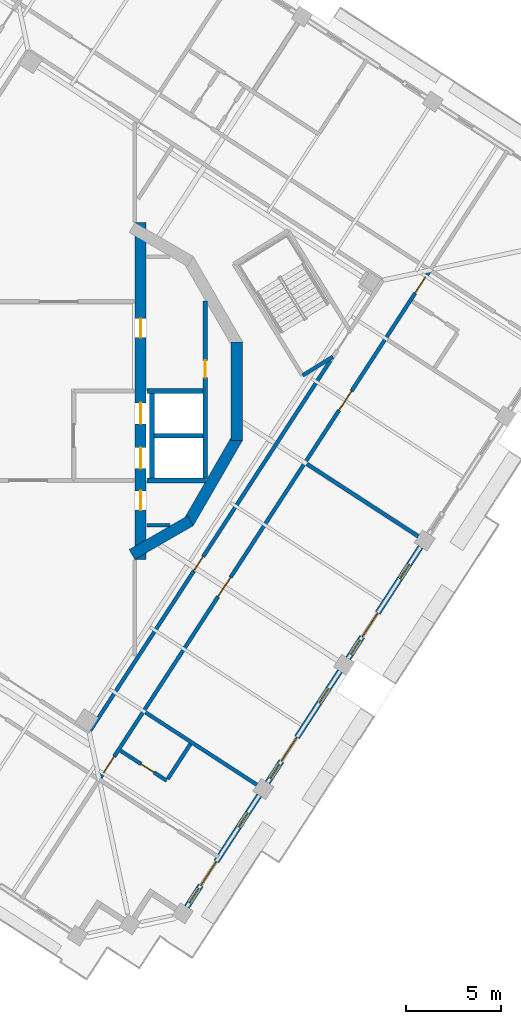
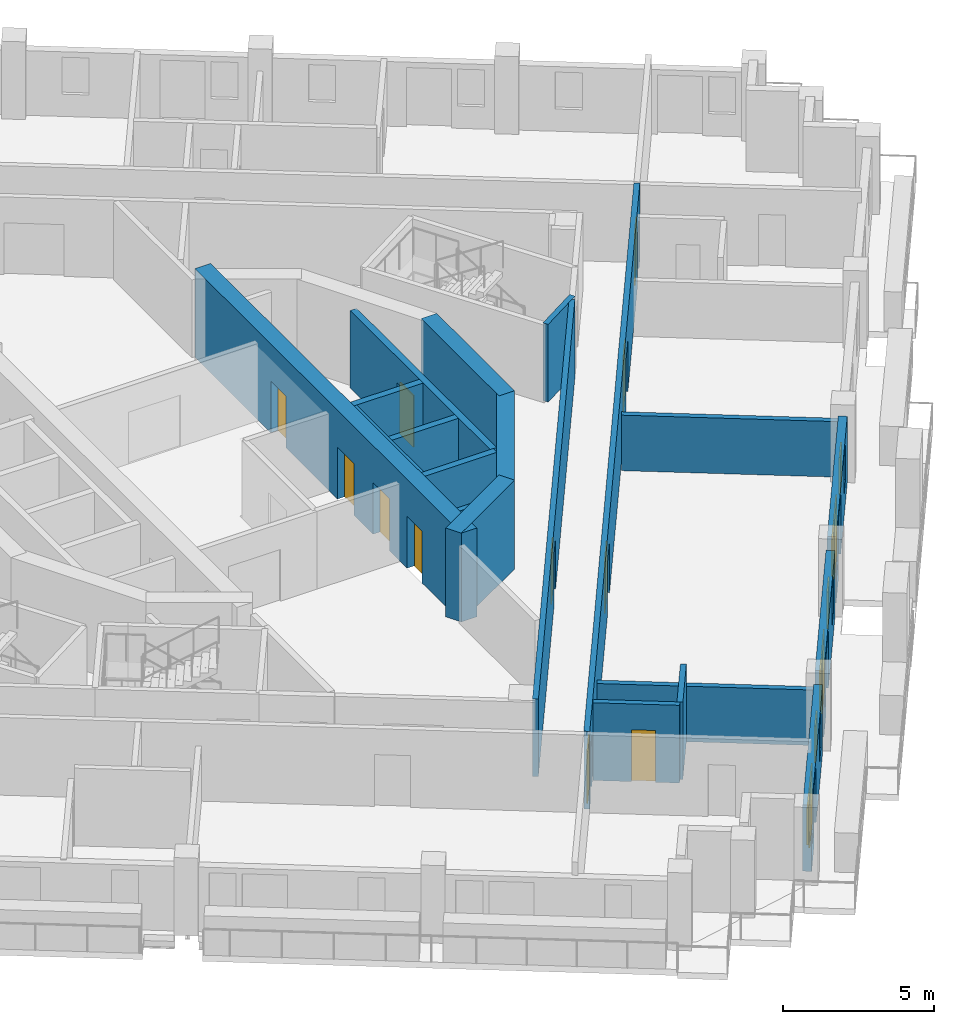
# One storey, part 7 of 17: 20 walls, 14 doors, 6 windows, 20 openings.
"""IFC4 building model written with IfcOpenShell, lengths in metres."""

import ifcopenshell
import ifcopenshell.guid

model = None  # the IFC model being written
_history = None  # IfcOwnerHistory: only IFC2X3 demands one
_inside = {}  # id of a spatial element -> (the spatial element, [elements in it])
_under = {}  # id of a project, library or spatial element -> (it, [spatial elements below it])
_declared = {}  # id of a project -> (the project, [libraries it declares])
_typed = {}  # id of a type object -> (the type object, [elements of that type])
_made_of = {}  # id of a material, layer set ... -> (it, [elements and type objects made of it])


def new_model(schema):
    """Start an empty IFC model of exactly this schema.

    Asked for "IFC4X3", IfcOpenShell would pick the latest addendum, in which some entities
    have other attributes; the version numbers below select the first issue.
    IFC2X3 requires an IfcOwnerHistory on every rooted entity: one is made here for all.
    """
    global model, _history
    if schema == "IFC4X3":
        model = ifcopenshell.file(schema_version=(4, 3, 0, 0))
    else:
        model = ifcopenshell.file(schema=schema)
    _inside.clear()
    _under.clear()
    _declared.clear()
    _typed.clear()
    _made_of.clear()
    _history = None
    if model.schema == "IFC2X3":
        org = make("IfcOrganization", Name="unknown")
        user = make(
            "IfcPersonAndOrganization",
            ThePerson=make("IfcPerson", FamilyName="unknown"),
            TheOrganization=org,
        )
        app = make(
            "IfcApplication",
            ApplicationDeveloper=org,
            Version="unknown",
            ApplicationFullName="unknown",
            ApplicationIdentifier="unknown",
        )
        _history = make(
            "IfcOwnerHistory",
            OwningUser=user,
            OwningApplication=app,
            ChangeAction="ADDED",
            CreationDate=0,
        )
    return model


def make(cls, **values):
    """One entity of the class cls with the attributes given. An attribute that is None is left unset."""
    return model.create_entity(
        cls, **{name: value for name, value in values.items() if value is not None}
    )


def rooted(cls, **values):
    """An entity with a GlobalId (a new one), such as an element, a storey or a relation."""
    return make(cls, GlobalId=ifcopenshell.guid.new(), OwnerHistory=_history, **values)


def si_unit(unit_type, name, prefix=None):
    """IfcSIUnit, for example si_unit("LENGTHUNIT", "METRE", prefix="MILLI")."""
    return make("IfcSIUnit", UnitType=unit_type, Prefix=prefix, Name=name)


def assignment(units):
    """IfcUnitAssignment: the units of a project."""
    return None if units is None else make("IfcUnitAssignment", Units=units)


def point(xyz):
    """IfcCartesianPoint."""
    return None if xyz is None else make("IfcCartesianPoint", Coordinates=xyz)


def direction(xyz):
    """IfcDirection."""
    return None if xyz is None else make("IfcDirection", DirectionRatios=xyz)


def frame(location, z_axis=None, x_axis=None):
    """IfcAxis2Placement3D, a coordinate frame: its origin and axes. An axis left out is left unset."""
    return make(
        "IfcAxis2Placement3D",
        Location=point(location),
        Axis=direction(z_axis),
        RefDirection=direction(x_axis),
    )


def frame_2d(location, x_axis=None):
    """IfcAxis2Placement2D, a coordinate frame in the plane: its origin and x axis."""
    return make(
        "IfcAxis2Placement2D", Location=point(location), RefDirection=direction(x_axis)
    )


def origin():
    """The frame at (0, 0, 0) with its axes left unset."""
    return frame((0.0, 0.0, 0.0))


def place(relative_to, where):
    """IfcLocalPlacement: puts the frame where relative to a parent placement (None: the world)."""
    return make(
        "IfcLocalPlacement", PlacementRelTo=relative_to, RelativePlacement=where
    )


def context(
    kind, dimensions, precision=None, world=None, true_north=None, identifier=None
):
    """IfcGeometricRepresentationContext, for example the 3D "Model" context."""
    return make(
        "IfcGeometricRepresentationContext",
        ContextIdentifier=identifier,
        ContextType=kind,
        CoordinateSpaceDimension=dimensions,
        Precision=precision,
        WorldCoordinateSystem=world,
        TrueNorth=true_north,
    )


def subcontext(parent, identifier, kind, view, scale=None):
    """IfcGeometricRepresentationSubContext, for example "Body" below "Model"."""
    return make(
        "IfcGeometricRepresentationSubContext",
        ContextIdentifier=identifier,
        ContextType=kind,
        ParentContext=parent,
        TargetScale=scale,
        TargetView=view,
    )


def project(units=None, contexts=None):
    """IfcProject with its units and contexts."""
    return rooted(
        "IfcProject",
        Name="project",
        RepresentationContexts=contexts,
        UnitsInContext=assignment(units),
    )


def spatial(cls, under=None, at=None, **own):
    """A site, building, storey or space (cls), placed at a placement, below another one or the project."""
    s = rooted(cls, ObjectPlacement=at, **own)
    if under is not None:
        _under.setdefault(under.id(), (under, []))[1].append(s)
    return s


def profile(cls, at=None, kind="AREA", **sizes):
    """A parametric profile (cls). Its sizes go by their IFC names, for example OverallWidth=200.0."""
    return make(cls, ProfileType=kind, Position=at, **sizes)


def rectangle(**sizes):
    """IfcRectangleProfileDef."""
    return profile("IfcRectangleProfileDef", **sizes)


def extrude(swept, where, along, depth):
    """IfcExtrudedAreaSolid: the profile swept, set in the frame where, extruded along a direction by depth."""
    return make(
        "IfcExtrudedAreaSolid",
        SweptArea=swept,
        Position=where,
        ExtrudedDirection=direction(along),
        Depth=depth,
    )


def shape(context_of_items, identifier, shape_type, items):
    """IfcShapeRepresentation: the items that make up one representation, for example the "Body"."""
    return make(
        "IfcShapeRepresentation",
        ContextOfItems=context_of_items,
        RepresentationIdentifier=identifier,
        RepresentationType=shape_type,
        Items=items,
    )


def material(Name=None, Category=None):
    """IfcMaterial."""
    return make("IfcMaterial", Name=Name, Category=Category)


def layer(
    of_material, thickness, ventilated=None, Name=None, Category=None, Priority=None
):
    """IfcMaterialLayer: one layer of a wall or slab, of a material (None: an air gap)."""
    return make(
        "IfcMaterialLayer",
        Material=of_material,
        LayerThickness=thickness,
        IsVentilated=ventilated,
        Name=Name,
        Category=Category,
        Priority=Priority,
    )


def layer_set(layers, Name=None):
    """IfcMaterialLayerSet."""
    return make("IfcMaterialLayerSet", MaterialLayers=layers, LayerSetName=Name)


def made_of(thing, what):
    """Note that an element or type object is made of a material, layer set ...; save() writes the relation."""
    if what is not None:
        _made_of.setdefault(what.id(), (what, []))[1].append(thing)
    return thing


def type_object(cls, material=None, **own):
    """A type object (cls), such as IfcWallType, which elements share."""
    return made_of(rooted(cls, **own), material)


def element(
    cls,
    number,
    at=None,
    inside=None,
    cuts=None,
    type_object=None,
    material=None,
    context=None,
    identifier="Body",
    shape_type=None,
    held_by="IfcProductDefinitionShape",
    body=None,
    shapes=None,
    **own,
):
    """One element of the class cls, such as IfcWall. Its Tag is "e" and its number.

    at: its placement. inside: the storey or other place that contains it. cuts: it is an
    opening in that element (IfcRelVoidsElement). A single representation is given by context,
    identifier, shape_type and body (its items); several are given by shapes. held_by: the class
    of the entity that holds the representations. save() writes the other relations.
    """
    e = rooted(cls, Tag="e%d" % number, ObjectPlacement=at, **own)
    if body is not None:
        shapes = [shape(context, identifier, shape_type, body)]
    if shapes is not None:
        e.Representation = make(held_by, Representations=shapes)
    if inside is not None:
        _inside.setdefault(inside.id(), (inside, []))[1].append(e)
    if cuts is not None:
        rooted(
            "IfcRelVoidsElement", RelatingBuildingElement=cuts, RelatedOpeningElement=e
        )
    if type_object is not None:
        _typed.setdefault(type_object.id(), (type_object, []))[1].append(e)
    return made_of(e, material)


def fill(opening, filler):
    """IfcRelFillsElement: the door or window that sits in an opening."""
    return rooted(
        "IfcRelFillsElement",
        RelatingOpeningElement=opening,
        RelatedBuildingElement=filler,
    )


def aggregate(whole, parts):
    """IfcRelAggregates: a whole, such as a stair, and the parts it consists of."""
    return rooted("IfcRelAggregates", RelatingObject=whole, RelatedObjects=parts)


def save(model, path):
    """Write the relations noted so far, then the file.

    IfcRelAggregates (storeys below a building ...), IfcRelContainedInSpatialStructure (elements
    in a storey), IfcRelDefinesByType, IfcRelAssociatesMaterial and IfcRelDeclares: one each for
    every whole, place, type object, material and project.
    """
    for whole, parts in _under.values():
        aggregate(whole, parts)
    for where, things in _inside.values():
        rooted(
            "IfcRelContainedInSpatialStructure",
            RelatedElements=things,
            RelatingStructure=where,
        )
    for kind, things in _typed.values():
        rooted("IfcRelDefinesByType", RelatedObjects=things, RelatingType=kind)
    for what, things in _made_of.values():
        rooted("IfcRelAssociatesMaterial", RelatedObjects=things, RelatingMaterial=what)
    for by, libraries in _declared.values():
        rooted("IfcRelDeclares", RelatingContext=by, RelatedDefinitions=libraries)
    model.write(path)


model = new_model("IFC4")

# Units and contexts
model_context = context("Model", 3, precision=1e-05, world=origin(), true_north=direction((0.0, 1.0)))
body_context = subcontext(model_context, "Body", "Model", "MODEL_VIEW")
ifc_project = project(units=[si_unit("LENGTHUNIT", "METRE"), si_unit("AREAUNIT", "SQUARE_METRE"), si_unit("VOLUMEUNIT", "CUBIC_METRE"), si_unit("PLANEANGLEUNIT", "RADIAN"), si_unit("MASSUNIT", "GRAM", prefix="KILO")], contexts=[model_context])

# Site, building, storey
site_placement = place(None, origin())
site = spatial("IfcSite", under=ifc_project, at=site_placement, CompositionType="ELEMENT")
building_placement = place(site_placement, origin())
building = spatial("IfcBuilding", under=site, at=building_placement, Name="Cantera Rosa Tower", CompositionType="ELEMENT")
storey_placement = place(building_placement, frame((0.0, 0.0, 286.5)))
storey = spatial("IfcBuildingStorey", under=building, at=storey_placement, Name="L65", CompositionType="ELEMENT", Elevation=286.5)

# Wall, opening, door
ifc_material_1 = material(Name="Gypsum board partition")
ifc_layer_1 = layer(ifc_material_1, 0.199951171875)
ifc_layer_set_1 = layer_set([ifc_layer_1], Name="CORRIDOR WALL 200 H3150")
wall_type_1 = type_object("IfcWallType", Name="CORRIDOR WALL 200 H3150", PredefinedType="PARTITIONING", material=ifc_layer_set_1)
wall_1_placement = place(storey_placement, frame((1.656982421875, -17.828857421875, 0.0), z_axis=(0.0, 0.0, 1.0), x_axis=(0.544640309195, 0.838669740482, 0.0)))
wall_1 = element("IfcWall", 1, at=wall_1_placement, inside=storey, type_object=wall_type_1, Name="CORRIDOR WALL L65-055", PredefinedType="PARTITIONING", context=body_context, shape_type="SweptSolid", body=[
    extrude(rectangle(XDim=23.1552734375, YDim=0.199951171875, at=frame_2d((11.57763671875, 0.0))), origin(), (0.0, 0.0, 1.0), 3.14990234375),
])
opening_1_placement = place(wall_1_placement, frame((9.984619140625, 0.0, 0.0)))
opening_1 = element("IfcOpeningElement", 2, at=opening_1_placement, cuts=wall_1, Name="Opening L65-007", PredefinedType="OPENING", context=body_context, shape_type="SweptSolid", body=[
    extrude(rectangle(XDim=0.89990234375, YDim=2.10009765625, at=frame_2d((0.449951171875, 1.050048828125))), frame((0.0, 0.10986328125, 0.0), z_axis=(0.0, -1.0, 0.0), x_axis=(1.0, 0.0, 0.0)), (0.0, 0.0, 1.0), 0.219970703125),
])
ifc_material_2 = material(Name="Timber door leaf", Category="wood")
door_type_1 = type_object("IfcDoorType", Name="SERVICE DOOR 900x2100", OperationType="NOTDEFINED", PredefinedType="DOOR", material=ifc_material_2)
door_1_placement = place(opening_1_placement, origin())
door_1 = element("IfcDoor", 3, at=door_1_placement, inside=storey, type_object=door_type_1, Name="DOOR L65-007", OperationType="NOTDEFINED", OverallHeight=2.10009765625, OverallWidth=0.89990234375, PredefinedType="DOOR", context=body_context, shape_type="SweptSolid", body=[
    extrude(rectangle(XDim=0.89990234375, YDim=2.10009765625, at=frame_2d((0.449951171875, 1.050048828125))), frame((0.0, 0.02490234375, 0.0), z_axis=(0.0, -1.0, 0.0), x_axis=(1.0, 0.0, 0.0)), (0.0, 0.0, 1.0), 0.050048828125),
])
fill(opening_1, door_1)

# Wall, openings, doors
wall_2_placement = place(storey_placement, frame((2.197265625, -20.302001953125, 0.0), z_axis=(0.0, 0.0, 1.0), x_axis=(0.544636461061, 0.838672239485, 0.0)))
wall_2 = element("IfcWall", 4, at=wall_2_placement, inside=storey, type_object=wall_type_1, Name="CORRIDOR WALL L65-057", PredefinedType="PARTITIONING", context=body_context, shape_type="SweptSolid", body=[
    extrude(rectangle(XDim=31.780029296875, YDim=0.199951171875, at=frame_2d((15.89013671875, 0.0))), origin(), (0.0, 0.0, 1.0), 3.14990234375),
])
opening_2_placement = place(wall_2_placement, frame((11.340087890625, 0.0, 0.0)))
opening_2 = element("IfcOpeningElement", 5, at=opening_2_placement, cuts=wall_2, Name="Opening L65-033", PredefinedType="OPENING", context=body_context, shape_type="SweptSolid", body=[
    extrude(rectangle(XDim=1.199951171875, YDim=2.10009765625, at=frame_2d((0.60009765625, 1.050048828125))), frame((0.0, 0.10986328125, 0.0), z_axis=(0.0, -1.0, 0.0), x_axis=(1.0, 0.0, 0.0)), (0.0, 0.0, 1.0), 0.219970703125),
])
opening_3_placement = place(wall_2_placement, frame((23.010009765625, 0.0, 0.0)))
opening_3 = element("IfcOpeningElement", 6, at=opening_3_placement, cuts=wall_2, Name="Opening L65-034", PredefinedType="OPENING", context=body_context, shape_type="SweptSolid", body=[
    extrude(rectangle(XDim=1.199951171875, YDim=2.10009765625, at=frame_2d((0.60009765625, 1.050048828125))), frame((0.0, 0.10986328125, 0.0), z_axis=(0.0, -1.0, 0.0), x_axis=(1.0, 0.0, 0.0)), (0.0, 0.0, 1.0), 0.219970703125),
])
opening_4_placement = place(wall_2_placement, frame((0.320068359375, 0.0, 0.0)))
opening_4 = element("IfcOpeningElement", 7, at=opening_4_placement, cuts=wall_2, Name="Opening L65-035", PredefinedType="OPENING", context=body_context, shape_type="SweptSolid", body=[
    extrude(rectangle(XDim=1.0, YDim=2.10009765625, at=frame_2d((0.5, 1.050048828125))), frame((0.0, 0.10986328125, 0.0), z_axis=(0.0, -1.0, 0.0), x_axis=(1.0, 0.0, 0.0)), (0.0, 0.0, 1.0), 0.219970703125),
])
opening_5_placement = place(wall_2_placement, frame((30.340087890625, 0.0, 0.0)))
opening_5 = element("IfcOpeningElement", 8, at=opening_5_placement, cuts=wall_2, Name="Opening L65-038", PredefinedType="OPENING", context=body_context, shape_type="SweptSolid", body=[
    extrude(rectangle(XDim=1.0, YDim=2.10009765625, at=frame_2d((0.5, 1.050048828125))), frame((0.0, 0.10986328125, 0.0), z_axis=(0.0, -1.0, 0.0), x_axis=(1.0, 0.0, 0.0)), (0.0, 0.0, 1.0), 0.219970703125),
])
ifc_material_3 = material(Name="Timber door leaf", Category="wood")
door_type_2 = type_object("IfcDoorType", Name="ENTRANCE DOOR 1000x2100", OperationType="NOTDEFINED", PredefinedType="DOOR", material=ifc_material_3)
door_2_placement = place(opening_4_placement, origin())
door_2 = element("IfcDoor", 9, at=door_2_placement, inside=storey, type_object=door_type_2, Name="DOOR L65-035", OperationType="NOTDEFINED", OverallHeight=2.10009765625, OverallWidth=1.0, PredefinedType="DOOR", context=body_context, shape_type="SweptSolid", body=[
    extrude(rectangle(XDim=1.0, YDim=2.10009765625, at=frame_2d((0.5, 1.050048828125))), frame((0.0, 0.02490234375, 0.0), z_axis=(0.0, -1.0, 0.0), x_axis=(1.0, 0.0, 0.0)), (0.0, 0.0, 1.0), 0.050048828125),
])
fill(opening_4, door_2)
door_3_placement = place(opening_5_placement, origin())
door_3 = element("IfcDoor", 10, at=door_3_placement, inside=storey, type_object=door_type_2, Name="DOOR L65-038", OperationType="NOTDEFINED", OverallHeight=2.10009765625, OverallWidth=1.0, PredefinedType="DOOR", context=body_context, shape_type="SweptSolid", body=[
    extrude(rectangle(XDim=1.0, YDim=2.10009765625, at=frame_2d((0.5, 1.050048828125))), frame((0.0, 0.02490234375, 0.0), z_axis=(0.0, -1.0, 0.0), x_axis=(1.0, 0.0, 0.0)), (0.0, 0.0, 1.0), 0.050048828125),
])
fill(opening_5, door_3)
ifc_material_4 = material(Name="Timber door leaf", Category="wood")
door_type_3 = type_object("IfcDoorType", Name="ROOM DOOR 1200x2100", OperationType="NOTDEFINED", PredefinedType="DOOR", material=ifc_material_4)
door_4_placement = place(opening_2_placement, origin())
door_4 = element("IfcDoor", 11, at=door_4_placement, inside=storey, type_object=door_type_3, Name="DOOR L65-033", OperationType="NOTDEFINED", OverallHeight=2.10009765625, OverallWidth=1.199951171875, PredefinedType="DOOR", context=body_context, shape_type="SweptSolid", body=[
    extrude(rectangle(XDim=1.199951171875, YDim=2.10009765625, at=frame_2d((0.60009765625, 1.050048828125))), frame((0.0, 0.02490234375, 0.0), z_axis=(0.0, -1.0, 0.0), x_axis=(1.0, 0.0, 0.0)), (0.0, 0.0, 1.0), 0.050048828125),
])
fill(opening_2, door_4)
door_5_placement = place(opening_3_placement, origin())
door_5 = element("IfcDoor", 12, at=door_5_placement, inside=storey, type_object=door_type_3, Name="DOOR L65-034", OperationType="NOTDEFINED", OverallHeight=2.10009765625, OverallWidth=1.199951171875, PredefinedType="DOOR", context=body_context, shape_type="SweptSolid", body=[
    extrude(rectangle(XDim=1.199951171875, YDim=2.10009765625, at=frame_2d((0.60009765625, 1.050048828125))), frame((0.0, 0.02490234375, 0.0), z_axis=(0.0, -1.0, 0.0), x_axis=(1.0, 0.0, 0.0)), (0.0, 0.0, 1.0), 0.050048828125),
])
fill(opening_3, door_5)

# Wall, openings, windows, door
ifc_material_5 = material(Name="Hollow clay masonry with cantera stone cladding", Category="masonry")
ifc_layer_2 = layer(ifc_material_5, 0.300048828125)
ifc_layer_set_2 = layer_set([ifc_layer_2], Name="EW-LOGGIA 300 H2690")
wall_type_2 = type_object("IfcWallType", Name="EW-LOGGIA 300 H2690", PredefinedType="SOLIDWALL", material=ifc_layer_set_2)
wall_3_placement = place(storey_placement, frame((6.7333984375, -27.08740234375, 0.0), z_axis=(0.0, 0.0, 1.0), x_axis=(0.544651451949, 0.838662504164, 0.0)))
wall_3 = element("IfcWall", 13, at=wall_3_placement, inside=storey, type_object=wall_type_2, Name="EN-L65-W20", PredefinedType="SOLIDWALL", context=body_context, shape_type="SweptSolid", body=[
    extrude(rectangle(XDim=6.980224609375, YDim=0.300048828125, at=frame_2d((3.490234375, 0.0))), origin(), (0.0, 0.0, 1.0), 2.68994140625),
])
opening_6_placement = place(wall_3_placement, frame((0.2451171875, 0.0, 0.89990234375)))
opening_6 = element("IfcOpeningElement", 14, at=opening_6_placement, cuts=wall_3, Name="Opening L65-W34", PredefinedType="OPENING", context=body_context, shape_type="SweptSolid", body=[
    extrude(rectangle(XDim=0.89990234375, YDim=1.5, at=frame_2d((0.449951171875, 0.75))), frame((0.0, 0.159912109375, 0.0), z_axis=(0.0, -1.0, 0.0), x_axis=(1.0, 0.0, 0.0)), (0.0, 0.0, 1.0), 0.320068359375),
])
opening_7_placement = place(wall_3_placement, frame((1.344970703125, 0.0, 0.0)))
opening_7 = element("IfcOpeningElement", 15, at=opening_7_placement, cuts=wall_3, Name="Opening L65-TD35", PredefinedType="OPENING", context=body_context, shape_type="SweptSolid", body=[
    extrude(rectangle(XDim=1.5, YDim=2.39990234375, at=frame_2d((0.75, 1.199951171875))), frame((0.0, 0.159912109375, 0.0), z_axis=(0.0, -1.0, 0.0), x_axis=(1.0, 0.0, 0.0)), (0.0, 0.0, 1.0), 0.320068359375),
])
opening_8_placement = place(wall_3_placement, frame((4.985107421875, 0.0, 0.89990234375)))
opening_8 = element("IfcOpeningElement", 16, at=opening_8_placement, cuts=wall_3, Name="Opening L65-W36", PredefinedType="OPENING", context=body_context, shape_type="SweptSolid", body=[
    extrude(rectangle(XDim=0.89990234375, YDim=1.5, at=frame_2d((0.449951171875, 0.75))), frame((0.0, 0.159912109375, 0.0), z_axis=(0.0, -1.0, 0.0), x_axis=(1.0, 0.0, 0.0)), (0.0, 0.0, 1.0), 0.320068359375),
])
ifc_material_6 = material(Name="Aluminium frame with clear glass", Category="aluminium")
window_type = type_object("IfcWindowType", Name="Residential window 900x1500", PartitioningType="SINGLE_PANEL", PredefinedType="WINDOW", material=ifc_material_6)
window_1_placement = place(opening_6_placement, origin())
window_1 = element("IfcWindow", 17, at=window_1_placement, inside=storey, type_object=window_type, Name="WINDOW L65-W34", OverallHeight=1.5, OverallWidth=0.89990234375, PartitioningType="SINGLE_PANEL", PredefinedType="WINDOW", context=body_context, shape_type="SweptSolid", body=[
    extrude(rectangle(XDim=0.89990234375, YDim=1.5, at=frame_2d((0.449951171875, 0.75))), frame((0.0, 0.030029296875, 0.0), z_axis=(0.0, -1.0, 0.0), x_axis=(1.0, 0.0, 0.0)), (0.0, 0.0, 1.0), 0.06005859375),
])
fill(opening_6, window_1)
window_2_placement = place(opening_8_placement, origin())
window_2 = element("IfcWindow", 18, at=window_2_placement, inside=storey, type_object=window_type, Name="WINDOW L65-W36", OverallHeight=1.5, OverallWidth=0.89990234375, PartitioningType="SINGLE_PANEL", PredefinedType="WINDOW", context=body_context, shape_type="SweptSolid", body=[
    extrude(rectangle(XDim=0.89990234375, YDim=1.5, at=frame_2d((0.449951171875, 0.75))), frame((0.0, 0.030029296875, 0.0), z_axis=(0.0, -1.0, 0.0), x_axis=(1.0, 0.0, 0.0)), (0.0, 0.0, 1.0), 0.06005859375),
])
fill(opening_8, window_2)
ifc_material_7 = material(Name="Aluminium frame with clear glass", Category="aluminium")
door_type_4 = type_object("IfcDoorType", Name="TD-R 1500x2400", OperationType="NOTDEFINED", PredefinedType="DOOR", material=ifc_material_7)
door_6_placement = place(opening_7_placement, origin())
door_6 = element("IfcDoor", 19, at=door_6_placement, inside=storey, type_object=door_type_4, Name="LOGGIA DOOR L65-TD35", OperationType="SLIDING_TO_LEFT", OverallHeight=2.39990234375, OverallWidth=1.5, PredefinedType="DOOR", context=body_context, shape_type="SweptSolid", body=[
    extrude(rectangle(XDim=1.5, YDim=2.39990234375, at=frame_2d((0.75, 1.199951171875))), frame((0.0, 0.02490234375, 0.0), z_axis=(0.0, -1.0, 0.0), x_axis=(1.0, 0.0, 0.0)), (0.0, 0.0, 1.0), 0.050048828125),
])
fill(opening_7, door_6)

wall_4_placement = place(storey_placement, frame((10.970703125, -20.5625, 0.0), z_axis=(0.0, 0.0, 1.0), x_axis=(0.544651451949, 0.838662504164, 0.0)))
wall_4 = element("IfcWall", 20, at=wall_4_placement, inside=storey, type_object=wall_type_2, Name="EN-L65-W21", PredefinedType="SOLIDWALL", context=body_context, shape_type="SweptSolid", body=[
    extrude(rectangle(XDim=6.980224609375, YDim=0.300048828125, at=frame_2d((3.490234375, 0.0))), origin(), (0.0, 0.0, 1.0), 2.68994140625),
])
opening_9_placement = place(wall_4_placement, frame((0.2451171875, 0.0, 0.89990234375)))
opening_9 = element("IfcOpeningElement", 21, at=opening_9_placement, cuts=wall_4, Name="Opening L65-W37", PredefinedType="OPENING", context=body_context, shape_type="SweptSolid", body=[
    extrude(rectangle(XDim=0.89990234375, YDim=1.5, at=frame_2d((0.449951171875, 0.75))), frame((0.0, 0.159912109375, 0.0), z_axis=(0.0, -1.0, 0.0), x_axis=(1.0, 0.0, 0.0)), (0.0, 0.0, 1.0), 0.320068359375),
])
opening_10_placement = place(wall_4_placement, frame((1.344970703125, 0.0, 0.0)))
opening_10 = element("IfcOpeningElement", 22, at=opening_10_placement, cuts=wall_4, Name="Opening L65-TD38", PredefinedType="OPENING", context=body_context, shape_type="SweptSolid", body=[
    extrude(rectangle(XDim=1.5, YDim=2.39990234375, at=frame_2d((0.75, 1.199951171875))), frame((0.0, 0.159912109375, 0.0), z_axis=(0.0, -1.0, 0.0), x_axis=(1.0, 0.0, 0.0)), (0.0, 0.0, 1.0), 0.320068359375),
])
opening_11_placement = place(wall_4_placement, frame((4.985107421875, 0.0, 0.89990234375)))
opening_11 = element("IfcOpeningElement", 23, at=opening_11_placement, cuts=wall_4, Name="Opening L65-W39", PredefinedType="OPENING", context=body_context, shape_type="SweptSolid", body=[
    extrude(rectangle(XDim=0.89990234375, YDim=1.5, at=frame_2d((0.449951171875, 0.75))), frame((0.0, 0.159912109375, 0.0), z_axis=(0.0, -1.0, 0.0), x_axis=(1.0, 0.0, 0.0)), (0.0, 0.0, 1.0), 0.320068359375),
])
window_3_placement = place(opening_9_placement, origin())
window_3 = element("IfcWindow", 24, at=window_3_placement, inside=storey, type_object=window_type, Name="WINDOW L65-W37", OverallHeight=1.5, OverallWidth=0.89990234375, PartitioningType="SINGLE_PANEL", PredefinedType="WINDOW", context=body_context, shape_type="SweptSolid", body=[
    extrude(rectangle(XDim=0.89990234375, YDim=1.5, at=frame_2d((0.449951171875, 0.75))), frame((0.0, 0.030029296875, 0.0), z_axis=(0.0, -1.0, 0.0), x_axis=(1.0, 0.0, 0.0)), (0.0, 0.0, 1.0), 0.06005859375),
])
fill(opening_9, window_3)
window_4_placement = place(opening_11_placement, origin())
window_4 = element("IfcWindow", 25, at=window_4_placement, inside=storey, type_object=window_type, Name="WINDOW L65-W39", OverallHeight=1.5, OverallWidth=0.89990234375, PartitioningType="SINGLE_PANEL", PredefinedType="WINDOW", context=body_context, shape_type="SweptSolid", body=[
    extrude(rectangle(XDim=0.89990234375, YDim=1.5, at=frame_2d((0.449951171875, 0.75))), frame((0.0, 0.030029296875, 0.0), z_axis=(0.0, -1.0, 0.0), x_axis=(1.0, 0.0, 0.0)), (0.0, 0.0, 1.0), 0.06005859375),
])
fill(opening_11, window_4)
door_7_placement = place(opening_10_placement, origin())
door_7 = element("IfcDoor", 26, at=door_7_placement, inside=storey, type_object=door_type_4, Name="LOGGIA DOOR L65-TD38", OperationType="SLIDING_TO_LEFT", OverallHeight=2.39990234375, OverallWidth=1.5, PredefinedType="DOOR", context=body_context, shape_type="SweptSolid", body=[
    extrude(rectangle(XDim=1.5, YDim=2.39990234375, at=frame_2d((0.75, 1.199951171875))), frame((0.0, 0.02490234375, 0.0), z_axis=(0.0, -1.0, 0.0), x_axis=(1.0, 0.0, 0.0)), (0.0, 0.0, 1.0), 0.050048828125),
])
fill(opening_10, door_7)

wall_5_placement = place(storey_placement, frame((15.2080078125, -14.03759765625, 0.0), z_axis=(0.0, 0.0, 1.0), x_axis=(0.544651451949, 0.838662504164, 0.0)))
wall_5 = element("IfcWall", 27, at=wall_5_placement, inside=storey, type_object=wall_type_2, Name="EN-L65-W22", PredefinedType="SOLIDWALL", context=body_context, shape_type="SweptSolid", body=[
    extrude(rectangle(XDim=6.980224609375, YDim=0.300048828125, at=frame_2d((3.490234375, 0.0))), origin(), (0.0, 0.0, 1.0), 2.68994140625),
])
opening_12_placement = place(wall_5_placement, frame((0.2451171875, 0.0, 0.89990234375)))
opening_12 = element("IfcOpeningElement", 28, at=opening_12_placement, cuts=wall_5, Name="Opening L65-W40", PredefinedType="OPENING", context=body_context, shape_type="SweptSolid", body=[
    extrude(rectangle(XDim=0.89990234375, YDim=1.5, at=frame_2d((0.449951171875, 0.75))), frame((0.0, 0.159912109375, 0.0), z_axis=(0.0, -1.0, 0.0), x_axis=(1.0, 0.0, 0.0)), (0.0, 0.0, 1.0), 0.320068359375),
])
opening_13_placement = place(wall_5_placement, frame((1.344970703125, 0.0, 0.0)))
opening_13 = element("IfcOpeningElement", 29, at=opening_13_placement, cuts=wall_5, Name="Opening L65-TD41", PredefinedType="OPENING", context=body_context, shape_type="SweptSolid", body=[
    extrude(rectangle(XDim=1.5, YDim=2.39990234375, at=frame_2d((0.75, 1.199951171875))), frame((0.0, 0.159912109375, 0.0), z_axis=(0.0, -1.0, 0.0), x_axis=(1.0, 0.0, 0.0)), (0.0, 0.0, 1.0), 0.320068359375),
])
opening_14_placement = place(wall_5_placement, frame((4.985107421875, 0.0, 0.89990234375)))
opening_14 = element("IfcOpeningElement", 30, at=opening_14_placement, cuts=wall_5, Name="Opening L65-W42", PredefinedType="OPENING", context=body_context, shape_type="SweptSolid", body=[
    extrude(rectangle(XDim=0.89990234375, YDim=1.5, at=frame_2d((0.449951171875, 0.75))), frame((0.0, 0.159912109375, 0.0), z_axis=(0.0, -1.0, 0.0), x_axis=(1.0, 0.0, 0.0)), (0.0, 0.0, 1.0), 0.320068359375),
])
window_5_placement = place(opening_12_placement, origin())
window_5 = element("IfcWindow", 31, at=window_5_placement, inside=storey, type_object=window_type, Name="WINDOW L65-W40", OverallHeight=1.5, OverallWidth=0.89990234375, PartitioningType="SINGLE_PANEL", PredefinedType="WINDOW", context=body_context, shape_type="SweptSolid", body=[
    extrude(rectangle(XDim=0.89990234375, YDim=1.5, at=frame_2d((0.449951171875, 0.75))), frame((0.0, 0.030029296875, 0.0), z_axis=(0.0, -1.0, 0.0), x_axis=(1.0, 0.0, 0.0)), (0.0, 0.0, 1.0), 0.06005859375),
])
fill(opening_12, window_5)
window_6_placement = place(opening_14_placement, origin())
window_6 = element("IfcWindow", 32, at=window_6_placement, inside=storey, type_object=window_type, Name="WINDOW L65-W42", OverallHeight=1.5, OverallWidth=0.89990234375, PartitioningType="SINGLE_PANEL", PredefinedType="WINDOW", context=body_context, shape_type="SweptSolid", body=[
    extrude(rectangle(XDim=0.89990234375, YDim=1.5, at=frame_2d((0.449951171875, 0.75))), frame((0.0, 0.030029296875, 0.0), z_axis=(0.0, -1.0, 0.0), x_axis=(1.0, 0.0, 0.0)), (0.0, 0.0, 1.0), 0.06005859375),
])
fill(opening_14, window_6)
door_8_placement = place(opening_13_placement, origin())
door_8 = element("IfcDoor", 33, at=door_8_placement, inside=storey, type_object=door_type_4, Name="LOGGIA DOOR L65-TD41", OperationType="SLIDING_TO_LEFT", OverallHeight=2.39990234375, OverallWidth=1.5, PredefinedType="DOOR", context=body_context, shape_type="SweptSolid", body=[
    extrude(rectangle(XDim=1.5, YDim=2.39990234375, at=frame_2d((0.75, 1.199951171875))), frame((0.0, 0.02490234375, 0.0), z_axis=(0.0, -1.0, 0.0), x_axis=(1.0, 0.0, 0.0)), (0.0, 0.0, 1.0), 0.050048828125),
])
fill(opening_13, door_8)

# Wall
ifc_material_8 = material(Name="Gypsum board partition")
ifc_layer_3 = layer(ifc_material_8, 0.199951171875)
ifc_layer_set_3 = layer_set([ifc_layer_3], Name="PARTITION 200 H2250")
wall_type_3 = type_object("IfcWallType", Name="PARTITION 200 H2250", PredefinedType="PARTITIONING", material=ifc_layer_set_3)
wall_6_placement = place(storey_placement, frame((13.0380859375, -3.828857421875, 0.0), z_axis=(0.0, 0.0, 1.0), x_axis=(0.838684106336, -0.544618187155, 0.0)))
element("IfcWall", 34, at=wall_6_placement, inside=storey, type_object=wall_type_3, Name="PARTITION L65-080", PredefinedType="PARTITIONING", context=body_context, shape_type="SweptSolid", body=[
    extrude(rectangle(XDim=7.349853515625, YDim=0.199951171875, at=frame_2d((3.6748046875, 0.0))), origin(), (0.0, 0.0, 1.0), 2.25),
])

# Wall, opening, door
ifc_material_9 = material(Name="Gypsum board partition")
ifc_layer_4 = layer(ifc_material_9, 0.199951171875)
ifc_layer_set_4 = layer_set([ifc_layer_4], Name="PARTITION 200 H3150")
wall_type_4 = type_object("IfcWallType", Name="PARTITION 200 H3150", PredefinedType="PARTITIONING", material=ifc_layer_set_4)
wall_7_placement = place(storey_placement, frame((5.671875, -20.4599609375, 0.0), z_axis=(0.0, 0.0, 1.0), x_axis=(-0.838679811106, 0.544624801532, 0.0)))
wall_7 = element("IfcWall", 35, at=wall_7_placement, inside=storey, type_object=wall_type_4, Name="PARTITION L65-065", PredefinedType="PARTITIONING", context=body_context, shape_type="SweptSolid", body=[
    extrude(rectangle(XDim=2.880126953125, YDim=0.199951171875, at=frame_2d((1.43994140625, 0.0))), origin(), (0.0, 0.0, 1.0), 3.14990234375),
])
opening_15_placement = place(wall_7_placement, frame((0.800048828125, 0.0, 0.0)))
opening_15 = element("IfcOpeningElement", 36, at=opening_15_placement, cuts=wall_7, Name="Opening L65-036", PredefinedType="OPENING", context=body_context, shape_type="SweptSolid", body=[
    extrude(rectangle(XDim=0.800048828125, YDim=2.10009765625, at=frame_2d((0.39990234375, 1.050048828125))), frame((0.0, 0.10986328125, 0.0), z_axis=(0.0, -1.0, 0.0), x_axis=(1.0, 0.0, 0.0)), (0.0, 0.0, 1.0), 0.219970703125),
])
ifc_material_10 = material(Name="Timber door leaf", Category="wood")
door_type_5 = type_object("IfcDoorType", Name="BATHROOM DOOR 800x2100", OperationType="NOTDEFINED", PredefinedType="DOOR", material=ifc_material_10)
door_9_placement = place(opening_15_placement, origin())
door_9 = element("IfcDoor", 37, at=door_9_placement, inside=storey, type_object=door_type_5, Name="DOOR L65-036", OperationType="NOTDEFINED", OverallHeight=2.10009765625, OverallWidth=0.800048828125, PredefinedType="DOOR", context=body_context, shape_type="SweptSolid", body=[
    extrude(rectangle(XDim=0.800048828125, YDim=2.10009765625, at=frame_2d((0.39990234375, 1.050048828125))), frame((0.0, 0.02490234375, 0.0), z_axis=(0.0, -1.0, 0.0), x_axis=(1.0, 0.0, 0.0)), (0.0, 0.0, 1.0), 0.050048828125),
])
fill(opening_15, door_9)

# Walls
wall_8_placement = place(storey_placement, frame((5.84765625, -7.050048828125, 0.0), z_axis=(0.0, 0.0, 1.0), x_axis=(-1.0, 0.0, 0.0)))
element("IfcWall", 38, at=wall_8_placement, inside=storey, type_object=wall_type_4, Name="PARTITION L65-066", PredefinedType="PARTITIONING", context=body_context, shape_type="SweptSolid", body=[
    extrude(rectangle(XDim=1.2177734375, YDim=0.199951171875, at=frame_2d((0.60888671875, 0.0))), origin(), (0.0, 0.0, 1.0), 3.14990234375),
])
wall_9_placement = place(storey_placement, frame((6.924560546875, -18.531005859375, 0.0), z_axis=(0.0, 0.0, 1.0), x_axis=(-0.544672350866, -0.838648931438, 0.0)))
element("IfcWall", 39, at=wall_9_placement, inside=storey, type_object=wall_type_4, Name="PARTITION L65-069", PredefinedType="PARTITIONING", context=body_context, shape_type="SweptSolid", body=[
    extrude(rectangle(XDim=2.199951171875, YDim=0.199951171875, at=frame_2d((1.10009765625, 0.0))), origin(), (0.0, 0.0, 1.0), 3.14990234375),
])
ifc_material_11 = material(Name="Gypsum board partition")
ifc_layer_5 = layer(ifc_material_11, 0.199951171875)
ifc_layer_set_5 = layer_set([ifc_layer_5], Name="PARTY WALL 200 H2250")
wall_type_5 = type_object("IfcWallType", Name="PARTY WALL 200 H2250", PredefinedType="PARTITIONING", material=ifc_layer_set_5)
wall_10_placement = place(storey_placement, frame((10.727783203125, -20.881591796875, 0.0), z_axis=(0.0, 0.0, 1.0), x_axis=(-0.838659080818, 0.544656723232, 0.0)))
element("IfcWall", 40, at=wall_10_placement, inside=storey, type_object=wall_type_5, Name="PARTY WALL L65-076", PredefinedType="PARTITIONING", context=body_context, shape_type="SweptSolid", body=[
    extrude(rectangle(XDim=7.349853515625, YDim=0.199951171875, at=frame_2d((3.6748046875, 0.0))), origin(), (0.0, 0.0, 1.0), 2.25),
])
ifc_material_12 = material(Name="Concrete C50/60", Category="concrete")
ifc_layer_6 = layer(ifc_material_12, 0.60009765625)
ifc_layer_set_6 = layer_set([ifc_layer_6], Name="RC CORE WALL 600 C50/60")
wall_type_6 = type_object("IfcWallType", Name="RC CORE WALL 600 C50/60", PredefinedType="SHEAR", material=ifc_layer_set_6)
for number, where, z_axis, x_axis, name in (
    (41, (9.359375, 2.588134765625, 0.0), (0.0, 0.0, 1.0), (0.0, -1.0, 0.0), "CW-E3 L65"),
    (42, (9.3994140625, -2.438232421875, 0.0), (0.0, 0.0, 1.0), (-0.499989188378, -0.866031645787, 0.0), "CW-E4 L65"),
):
    element("IfcWall", number, at=place(storey_placement, frame(where, z_axis=z_axis, x_axis=x_axis)), inside=storey, type_object=wall_type_6, Name=name, PredefinedType="SHEAR", context=body_context, shape_type="SweptSolid", body=[
        extrude(rectangle(XDim=5.17626953125, YDim=0.60009765625, at=frame_2d((2.588134765625, 0.0))), origin(), (0.0, 0.0, 1.0), 3.60009765625),
    ])
wall_11_placement = place(storey_placement, frame((6.921142578125, -6.811279296875, 0.0), z_axis=(0.0, 0.0, 1.0), x_axis=(-0.866039982607, -0.499974747889, 0.0)))
element("IfcWall", 43, at=wall_11_placement, inside=storey, type_object=wall_type_6, Name="CW-E5 L65", PredefinedType="SHEAR", context=body_context, shape_type="SweptSolid", body=[
    extrude(rectangle(XDim=3.546142578125, YDim=0.60009765625, at=frame_2d((1.77294921875, 0.0))), origin(), (0.0, 0.0, 1.0), 3.60009765625),
])

# Wall, openings, doors
wall_12_placement = place(storey_placement, frame((4.300048828125, -8.84423828125, 0.0), z_axis=(0.0, 0.0, 1.0), x_axis=(0.0, 1.0, 0.0)))
wall_12 = element("IfcWall", 44, at=wall_12_placement, inside=storey, type_object=wall_type_6, Name="CW-E6 L65", PredefinedType="SHEAR", context=body_context, shape_type="SweptSolid", body=[
    extrude(rectangle(XDim=17.6884765625, YDim=0.60009765625, at=frame_2d((8.84423828125, 0.0))), origin(), (0.0, 0.0, 1.0), 3.60009765625),
])
opening_16_placement = place(wall_12_placement, frame((4.76904296875, 0.0, 0.0)))
opening_16 = element("IfcOpeningElement", 45, at=opening_16_placement, cuts=wall_12, Name="Opening LD-FF1-L65", PredefinedType="OPENING", context=body_context, shape_type="SweptSolid", body=[
    extrude(rectangle(XDim=1.10009765625, YDim=2.10009765625, at=frame_2d((0.550048828125, 1.050048828125))), frame((0.0, 0.31005859375, 0.0), z_axis=(0.0, -1.0, 0.0), x_axis=(1.0, 0.0, 0.0)), (0.0, 0.0, 1.0), 0.6201171875),
])
opening_17_placement = place(wall_12_placement, frame((7.119140625, 0.0, 0.0)))
opening_17 = element("IfcOpeningElement", 46, at=opening_17_placement, cuts=wall_12, Name="Opening LD-FF2-L65", PredefinedType="OPENING", context=body_context, shape_type="SweptSolid", body=[
    extrude(rectangle(XDim=1.10009765625, YDim=2.10009765625, at=frame_2d((0.550048828125, 1.050048828125))), frame((0.0, 0.31005859375, 0.0), z_axis=(0.0, -1.0, 0.0), x_axis=(1.0, 0.0, 0.0)), (0.0, 0.0, 1.0), 0.6201171875),
])
opening_18_placement = place(wall_12_placement, frame((2.5966796875, 0.0, 0.0)))
opening_18 = element("IfcOpeningElement", 47, at=opening_18_placement, cuts=wall_12, Name="Opening SD-L65-16", PredefinedType="OPENING", context=body_context, shape_type="SweptSolid", body=[
    extrude(rectangle(XDim=1.0, YDim=2.10009765625, at=frame_2d((0.5, 1.050048828125))), frame((0.0, 0.31005859375, 0.0), z_axis=(0.0, -1.0, 0.0), x_axis=(1.0, 0.0, 0.0)), (0.0, 0.0, 1.0), 0.6201171875),
])
opening_19_placement = place(wall_12_placement, frame((11.6494140625, 0.0, 0.0)))
opening_19 = element("IfcOpeningElement", 48, at=opening_19_placement, cuts=wall_12, Name="Opening SD-L65-17", PredefinedType="OPENING", context=body_context, shape_type="SweptSolid", body=[
    extrude(rectangle(XDim=1.0, YDim=2.10009765625, at=frame_2d((0.5, 1.050048828125))), frame((0.0, 0.31005859375, 0.0), z_axis=(0.0, -1.0, 0.0), x_axis=(1.0, 0.0, 0.0)), (0.0, 0.0, 1.0), 0.6201171875),
])
ifc_material_13 = material(Name="Steel S355J2 (EN 10025-2)", Category="steel")
door_type_6 = type_object("IfcDoorType", Name="LANDING DOOR 1100x2100", OperationType="NOTDEFINED", PredefinedType="DOOR", material=ifc_material_13)
door_10_placement = place(opening_16_placement, origin())
door_10 = element("IfcDoor", 49, at=door_10_placement, inside=storey, type_object=door_type_6, Name="LANDING DOOR FF1 L65", OperationType="SLIDING_TO_LEFT", OverallHeight=2.10009765625, OverallWidth=1.10009765625, PredefinedType="DOOR", context=body_context, shape_type="SweptSolid", body=[
    extrude(rectangle(XDim=1.10009765625, YDim=2.10009765625, at=frame_2d((0.550048828125, 1.050048828125))), frame((0.0, 0.02490234375, 0.0), z_axis=(0.0, -1.0, 0.0), x_axis=(1.0, 0.0, 0.0)), (0.0, 0.0, 1.0), 0.050048828125),
])
fill(opening_16, door_10)
door_11_placement = place(opening_17_placement, origin())
door_11 = element("IfcDoor", 50, at=door_11_placement, inside=storey, type_object=door_type_6, Name="LANDING DOOR FF2 L65", OperationType="SLIDING_TO_LEFT", OverallHeight=2.10009765625, OverallWidth=1.10009765625, PredefinedType="DOOR", context=body_context, shape_type="SweptSolid", body=[
    extrude(rectangle(XDim=1.10009765625, YDim=2.10009765625, at=frame_2d((0.550048828125, 1.050048828125))), frame((0.0, 0.02490234375, 0.0), z_axis=(0.0, -1.0, 0.0), x_axis=(1.0, 0.0, 0.0)), (0.0, 0.0, 1.0), 0.050048828125),
])
fill(opening_17, door_11)
ifc_material_14 = material(Name="Timber door leaf", Category="wood")
door_type_7 = type_object("IfcDoorType", Name="SERVICE DOOR 1000x2100", OperationType="NOTDEFINED", PredefinedType="DOOR", material=ifc_material_14)
door_12_placement = place(opening_18_placement, origin())
door_12 = element("IfcDoor", 51, at=door_12_placement, inside=storey, type_object=door_type_7, Name="DOOR L65-SD16", OperationType="NOTDEFINED", OverallHeight=2.10009765625, OverallWidth=1.0, PredefinedType="DOOR", context=body_context, shape_type="SweptSolid", body=[
    extrude(rectangle(XDim=1.0, YDim=2.10009765625, at=frame_2d((0.5, 1.050048828125))), frame((0.0, 0.02490234375, 0.0), z_axis=(0.0, -1.0, 0.0), x_axis=(1.0, 0.0, 0.0)), (0.0, 0.0, 1.0), 0.050048828125),
])
fill(opening_18, door_12)
door_13_placement = place(opening_19_placement, origin())
door_13 = element("IfcDoor", 52, at=door_13_placement, inside=storey, type_object=door_type_7, Name="DOOR L65-SD17", OperationType="NOTDEFINED", OverallHeight=2.10009765625, OverallWidth=1.0, PredefinedType="DOOR", context=body_context, shape_type="SweptSolid", body=[
    extrude(rectangle(XDim=1.0, YDim=2.10009765625, at=frame_2d((0.5, 1.050048828125))), frame((0.0, 0.02490234375, 0.0), z_axis=(0.0, -1.0, 0.0), x_axis=(1.0, 0.0, 0.0)), (0.0, 0.0, 1.0), 0.050048828125),
])
fill(opening_19, door_13)

# Walls
ifc_material_15 = material(Name="Masonry blockwork", Category="masonry")
ifc_layer_7 = layer(ifc_material_15, 0.25)
ifc_layer_set_7 = layer_set([ifc_layer_7], Name="SHAFT WALL 250 H3150")
wall_type_7 = type_object("IfcWallType", Name="SHAFT WALL 250 H3150", PredefinedType="SOLIDWALL", material=ifc_layer_set_7)
wall_13_placement = place(storey_placement, frame((4.6298828125, 0.0, 0.0), z_axis=(0.0, 0.0, 1.0), x_axis=(1.0, 0.0, 0.0)))
element("IfcWall", 53, at=wall_13_placement, inside=storey, type_object=wall_type_7, Name="SHAFT WALL L65-061", PredefinedType="SOLIDWALL", context=body_context, shape_type="SweptSolid", body=[
    extrude(rectangle(XDim=2.945068359375, YDim=0.25, at=frame_2d((1.47265625, 0.0))), origin(), (0.0, 0.0, 1.0), 3.14990234375),
])
wall_14_placement = place(storey_placement, frame((4.89990234375, -0.125, 0.0), z_axis=(0.0, 0.0, 1.0), x_axis=(0.0, -1.0, 0.0)))
element("IfcWall", 54, at=wall_14_placement, inside=storey, type_object=wall_type_7, Name="SHAFT WALL L65-063", PredefinedType="SOLIDWALL", context=body_context, shape_type="SweptSolid", body=[
    extrude(rectangle(XDim=4.449951171875, YDim=0.25, at=frame_2d((2.22509765625, 0.0))), origin(), (0.0, 0.0, 1.0), 3.14990234375),
])
wall_15_placement = place(storey_placement, frame((7.699951171875, -4.699951171875, 0.0), z_axis=(0.0, 0.0, 1.0), x_axis=(-1.0, 0.0, 0.0)))
element("IfcWall", 55, at=wall_15_placement, inside=storey, type_object=wall_type_7, Name="SHAFT WALL L65-070", PredefinedType="SOLIDWALL", context=body_context, shape_type="SweptSolid", body=[
    extrude(rectangle(XDim=3.070068359375, YDim=0.25, at=frame_2d((1.53515625, 0.0))), origin(), (0.0, 0.0, 1.0), 3.14990234375),
])

# Wall, opening, door
wall_16_placement = place(storey_placement, frame((7.699951171875, -4.580078125, 0.0), z_axis=(0.0, 0.0, 1.0), x_axis=(0.0, 1.0, 0.0)))
wall_16 = element("IfcWall", 56, at=wall_16_placement, inside=storey, type_object=wall_type_7, Name="SHAFT WALL L65-071", PredefinedType="SOLIDWALL", context=body_context, shape_type="SweptSolid", body=[
    extrude(rectangle(XDim=9.3017578125, YDim=0.25, at=frame_2d((4.65087890625, 0.0))), origin(), (0.0, 0.0, 1.0), 3.14990234375),
])
opening_20_placement = place(wall_16_placement, frame((5.2900390625, 0.0, 0.0)))
opening_20 = element("IfcOpeningElement", 57, at=opening_20_placement, cuts=wall_16, Name="Opening L65-042", PredefinedType="OPENING", context=body_context, shape_type="SweptSolid", body=[
    extrude(rectangle(XDim=0.89990234375, YDim=2.10009765625, at=frame_2d((0.449951171875, 1.050048828125))), frame((0.0, 0.135009765625, 0.0), z_axis=(0.0, -1.0, 0.0), x_axis=(1.0, 0.0, 0.0)), (0.0, 0.0, 1.0), 0.27001953125),
])
door_14_placement = place(opening_20_placement, origin())
door_14 = element("IfcDoor", 58, at=door_14_placement, inside=storey, type_object=door_type_1, Name="RISER DOOR L65-042", OperationType="NOTDEFINED", OverallHeight=2.10009765625, OverallWidth=0.89990234375, PredefinedType="DOOR", context=body_context, shape_type="SweptSolid", body=[
    extrude(rectangle(XDim=0.89990234375, YDim=2.10009765625, at=frame_2d((0.449951171875, 1.050048828125))), frame((0.0, 0.02490234375, 0.0), z_axis=(0.0, -1.0, 0.0), x_axis=(1.0, 0.0, 0.0)), (0.0, 0.0, 1.0), 0.050048828125),
])
fill(opening_20, door_14)

# Walls
wall_17_placement = place(storey_placement, frame((7.574951171875, -2.35009765625, 0.0), z_axis=(0.0, 0.0, 1.0), x_axis=(-1.0, 0.0, 0.0)))
element("IfcWall", 59, at=wall_17_placement, inside=storey, type_object=wall_type_7, Name="SHAFT WALL L65-072", PredefinedType="SOLIDWALL", context=body_context, shape_type="SweptSolid", body=[
    extrude(rectangle(XDim=2.554931640625, YDim=0.25, at=frame_2d((1.27734375, 0.0))), origin(), (0.0, 0.0, 1.0), 3.14990234375),
])
ifc_material_16 = material(Name="Concrete C50/60", Category="concrete")
ifc_layer_8 = layer(ifc_material_16, 0.199951171875)
ifc_layer_set_8 = layer_set([ifc_layer_8], Name="STAIR WALL 200 H3150")
wall_type_8 = type_object("IfcWallType", Name="STAIR WALL 200 H3150", PredefinedType="SOLIDWALL", material=ifc_layer_set_8)
wall_18_placement = place(storey_placement, frame((12.811279296875, 0.818359375, 0.0), z_axis=(0.0, 0.0, 1.0), x_axis=(0.851125244186, 0.524962683158, 0.0)))
element("IfcWall", 60, at=wall_18_placement, inside=storey, type_object=wall_type_8, Name="STAIR WALL L65-079", PredefinedType="SOLIDWALL", context=body_context, shape_type="SweptSolid", body=[
    extrude(rectangle(XDim=1.872802734375, YDim=0.199951171875, at=frame_2d((0.9365234375, 0.0))), origin(), (0.0, 0.0, 1.0), 3.14990234375),
])

save(model, "model.ifc")
